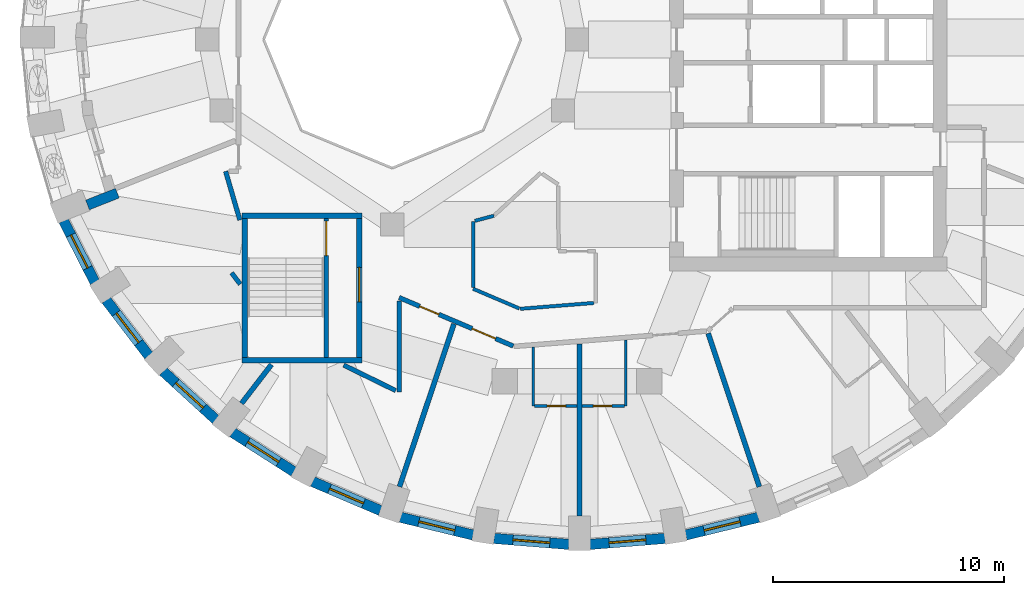
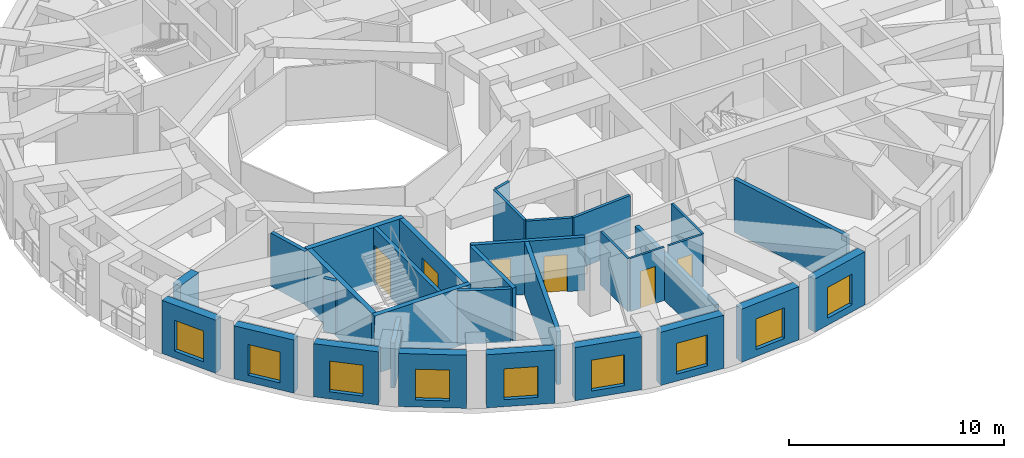
# One storey, part 3 of 12: 32 walls, 9 windows, 6 doors, 15 openings.
"""IFC4 building model written with IfcOpenShell, lengths in metres."""

from ifc_helpers import new_model, si_unit, direction, frame, frame_2d, origin, place, context, subcontext, project, spatial, rectangle, extrude, material, layer, layer_set, type_object, element, fill, save


model = new_model("IFC4")

# Units and contexts
model_context = context("Model", 3, precision=1e-05, world=origin(), true_north=direction((0.0, 1.0)))
body_context = subcontext(model_context, "Body", "Model", "MODEL_VIEW")
ifc_project = project(units=[si_unit("LENGTHUNIT", "METRE"), si_unit("AREAUNIT", "SQUARE_METRE"), si_unit("VOLUMEUNIT", "CUBIC_METRE"), si_unit("PLANEANGLEUNIT", "RADIAN"), si_unit("MASSUNIT", "GRAM", prefix="KILO")], contexts=[model_context])

# Site, building, storey
site_placement = place(None, origin())
site = spatial("IfcSite", under=ifc_project, at=site_placement, CompositionType="ELEMENT")
building_placement = place(site_placement, origin())
building = spatial("IfcBuilding", under=site, at=building_placement, Name="Taillehof Tower", CompositionType="ELEMENT")
storey_placement = place(building_placement, frame((0.0, 0.0, 145.10009765625)))
storey = spatial("IfcBuildingStorey", under=building, at=storey_placement, Name="L40", CompositionType="ELEMENT", Elevation=145.10009765625)

# Wall, opening, window
ifc_material_1 = material(Name="Brick masonry", Category="masonry")
ifc_layer_1 = layer(ifc_material_1, 0.449951171875)
ifc_layer_set_1 = layer_set([ifc_layer_1], Name="Brick infill wall 450")
wall_type_1 = type_object("IfcWallType", Name="Brick infill wall 450", PredefinedType="SOLIDWALL", material=ifc_layer_set_1)
wall_1_placement = place(storey_placement, frame((-22.21533203125, -7.8369140625, 0.0), z_axis=(0.0, 0.0, 1.0), x_axis=(0.454133999889, -0.890933392653, 0.0)))
wall_1 = element("IfcWall", 1, at=wall_1_placement, inside=storey, type_object=wall_type_1, Name="Brick wall L40 bay 21", PredefinedType="SOLIDWALL", context=body_context, shape_type="SweptSolid", body=[
    extrude(rectangle(XDim=2.98583984375, YDim=0.449951171875, at=frame_2d((1.492919921875, 0.0))), origin(), (0.0, 0.0, 1.0), 3.02001953125),
])
opening_1_placement = place(wall_1_placement, frame((0.69287109375, 0.0, 0.39990234375)))
opening_1 = element("IfcOpeningElement", 2, at=opening_1_placement, cuts=wall_1, Name="Opening W3", PredefinedType="OPENING", context=body_context, shape_type="SweptSolid", body=[
    extrude(rectangle(XDim=1.60009765625, YDim=1.75, at=frame_2d((0.800048828125, 0.875))), frame((0.0, 0.23486328125, 0.0), z_axis=(0.0, -1.0, 0.0), x_axis=(1.0, 0.0, 0.0)), (0.0, 0.0, 1.0), 0.469970703125),
])
ifc_material_2 = material(Name="Aluminium window frame with clear double glazing", Category="aluminium")
window_type = type_object("IfcWindowType", Name="Deep-set window 1600x1750", PartitioningType="SINGLE_PANEL", PredefinedType="WINDOW", material=ifc_material_2)
window_1_placement = place(opening_1_placement, origin())
window_1 = element("IfcWindow", 3, at=window_1_placement, inside=storey, type_object=window_type, Name="W3", OverallHeight=1.75, OverallWidth=1.60009765625, PartitioningType="SINGLE_PANEL", PredefinedType="WINDOW", context=body_context, shape_type="SweptSolid", body=[
    extrude(rectangle(XDim=1.60009765625, YDim=1.75, at=frame_2d((0.800048828125, 0.875))), frame((0.0, 0.034912109375, 0.0), z_axis=(0.0, -1.0, 0.0), x_axis=(1.0, 0.0, 0.0)), (0.0, 0.0, 1.0), 0.06005859375),
])
fill(opening_1, window_1)

wall_2_placement = place(storey_placement, frame((-20.3740234375, -11.26708984375, 0.0), z_axis=(0.0, 0.0, 1.0), x_axis=(0.607817056371, -0.794077090706, 0.0)))
wall_2 = element("IfcWall", 4, at=wall_2_placement, inside=storey, type_object=wall_type_1, Name="Brick wall L40 bay 22", PredefinedType="SOLIDWALL", context=body_context, shape_type="SweptSolid", body=[
    extrude(rectangle(XDim=3.037109375, YDim=0.449951171875, at=frame_2d((1.5185546875, 0.0))), origin(), (0.0, 0.0, 1.0), 3.02001953125),
])
opening_2_placement = place(wall_2_placement, frame((0.718505859375, 0.0, 0.39990234375)))
opening_2 = element("IfcOpeningElement", 5, at=opening_2_placement, cuts=wall_2, Name="Opening W3", PredefinedType="OPENING", context=body_context, shape_type="SweptSolid", body=[
    extrude(rectangle(XDim=1.60009765625, YDim=1.75, at=frame_2d((0.800048828125, 0.875))), frame((0.0, 0.23486328125, 0.0), z_axis=(0.0, -1.0, 0.0), x_axis=(1.0, 0.0, 0.0)), (0.0, 0.0, 1.0), 0.469970703125),
])
window_2_placement = place(opening_2_placement, origin())
window_2 = element("IfcWindow", 6, at=window_2_placement, inside=storey, type_object=window_type, Name="W3", OverallHeight=1.75, OverallWidth=1.60009765625, PartitioningType="SINGLE_PANEL", PredefinedType="WINDOW", context=body_context, shape_type="SweptSolid", body=[
    extrude(rectangle(XDim=1.60009765625, YDim=1.75, at=frame_2d((0.800048828125, 0.875))), frame((0.0, 0.034912109375, 0.0), z_axis=(0.0, -1.0, 0.0), x_axis=(1.0, 0.0, 0.0)), (0.0, 0.0, 1.0), 0.06005859375),
])
fill(opening_2, window_2)

wall_3_placement = place(storey_placement, frame((-17.913330078125, -14.349853515625, 0.0), z_axis=(0.0, 0.0, 1.0), x_axis=(0.737808755941, -0.675009807082, 0.0)))
wall_3 = element("IfcWall", 7, at=wall_3_placement, inside=storey, type_object=wall_type_1, Name="Brick wall L40 bay 23", PredefinedType="SOLIDWALL", context=body_context, shape_type="SweptSolid", body=[
    extrude(rectangle(XDim=3.094482421875, YDim=0.449951171875, at=frame_2d((1.54736328125, 0.0))), origin(), (0.0, 0.0, 1.0), 3.02001953125),
])
opening_3_placement = place(wall_3_placement, frame((0.747314453125, 0.0, 0.39990234375)))
opening_3 = element("IfcOpeningElement", 8, at=opening_3_placement, cuts=wall_3, Name="Opening W3", PredefinedType="OPENING", context=body_context, shape_type="SweptSolid", body=[
    extrude(rectangle(XDim=1.60009765625, YDim=1.75, at=frame_2d((0.800048828125, 0.875))), frame((0.0, 0.23486328125, 0.0), z_axis=(0.0, -1.0, 0.0), x_axis=(1.0, 0.0, 0.0)), (0.0, 0.0, 1.0), 0.469970703125),
])
window_3_placement = place(opening_3_placement, origin())
window_3 = element("IfcWindow", 9, at=window_3_placement, inside=storey, type_object=window_type, Name="W3", OverallHeight=1.75, OverallWidth=1.60009765625, PartitioningType="SINGLE_PANEL", PredefinedType="WINDOW", context=body_context, shape_type="SweptSolid", body=[
    extrude(rectangle(XDim=1.60009765625, YDim=1.75, at=frame_2d((0.800048828125, 0.875))), frame((0.0, 0.034912109375, 0.0), z_axis=(0.0, -1.0, 0.0), x_axis=(1.0, 0.0, 0.0)), (0.0, 0.0, 1.0), 0.06005859375),
])
fill(opening_3, window_3)

wall_4_placement = place(storey_placement, frame((-14.908447265625, -16.993408203125, 0.0), z_axis=(0.0, 0.0, 1.0), x_axis=(0.842065914439, -0.539374633943, 0.0)))
wall_4 = element("IfcWall", 10, at=wall_4_placement, inside=storey, type_object=wall_type_1, Name="Brick wall L40 bay 24", PredefinedType="SOLIDWALL", context=body_context, shape_type="SweptSolid", body=[
    extrude(rectangle(XDim=3.1513671875, YDim=0.449951171875, at=frame_2d((1.57568359375, 0.0))), origin(), (0.0, 0.0, 1.0), 3.02001953125),
])
opening_4_placement = place(wall_4_placement, frame((0.775634765625, 0.0, 0.39990234375)))
opening_4 = element("IfcOpeningElement", 11, at=opening_4_placement, cuts=wall_4, Name="Opening W3", PredefinedType="OPENING", context=body_context, shape_type="SweptSolid", body=[
    extrude(rectangle(XDim=1.60009765625, YDim=1.75, at=frame_2d((0.800048828125, 0.875))), frame((0.0, 0.23486328125, 0.0), z_axis=(0.0, -1.0, 0.0), x_axis=(1.0, 0.0, 0.0)), (0.0, 0.0, 1.0), 0.469970703125),
])
window_4_placement = place(opening_4_placement, origin())
window_4 = element("IfcWindow", 12, at=window_4_placement, inside=storey, type_object=window_type, Name="W3", OverallHeight=1.75, OverallWidth=1.60009765625, PartitioningType="SINGLE_PANEL", PredefinedType="WINDOW", context=body_context, shape_type="SweptSolid", body=[
    extrude(rectangle(XDim=1.60009765625, YDim=1.75, at=frame_2d((0.800048828125, 0.875))), frame((0.0, 0.034912109375, 0.0), z_axis=(0.0, -1.0, 0.0), x_axis=(1.0, 0.0, 0.0)), (0.0, 0.0, 1.0), 0.06005859375),
])
fill(opening_4, window_4)

wall_5_placement = place(storey_placement, frame((-11.4501953125, -19.11865234375, 0.0), z_axis=(0.0, 0.0, 1.0), x_axis=(0.919798725687, -0.392390499663, 0.0)))
wall_5 = element("IfcWall", 13, at=wall_5_placement, inside=storey, type_object=wall_type_1, Name="Brick wall L40 bay 25", PredefinedType="SOLIDWALL", context=body_context, shape_type="SweptSolid", body=[
    extrude(rectangle(XDim=3.200439453125, YDim=0.449951171875, at=frame_2d((1.60009765625, 0.0))), origin(), (0.0, 0.0, 1.0), 3.02001953125),
])
opening_5_placement = place(wall_5_placement, frame((0.80029296875, 0.0, 0.39990234375)))
opening_5 = element("IfcOpeningElement", 14, at=opening_5_placement, cuts=wall_5, Name="Opening W3", PredefinedType="OPENING", context=body_context, shape_type="SweptSolid", body=[
    extrude(rectangle(XDim=1.60009765625, YDim=1.75, at=frame_2d((0.800048828125, 0.875))), frame((0.0, 0.23486328125, 0.0), z_axis=(0.0, -1.0, 0.0), x_axis=(1.0, 0.0, 0.0)), (0.0, 0.0, 1.0), 0.469970703125),
])
window_5_placement = place(opening_5_placement, origin())
window_5 = element("IfcWindow", 15, at=window_5_placement, inside=storey, type_object=window_type, Name="W3", OverallHeight=1.75, OverallWidth=1.60009765625, PartitioningType="SINGLE_PANEL", PredefinedType="WINDOW", context=body_context, shape_type="SweptSolid", body=[
    extrude(rectangle(XDim=1.60009765625, YDim=1.75, at=frame_2d((0.800048828125, 0.875))), frame((0.0, 0.034912109375, 0.0), z_axis=(0.0, -1.0, 0.0), x_axis=(1.0, 0.0, 0.0)), (0.0, 0.0, 1.0), 0.06005859375),
])
fill(opening_5, window_5)

wall_6_placement = place(storey_placement, frame((-7.642822265625, -20.662353515625, 0.0), z_axis=(0.0, 0.0, 1.0), x_axis=(0.971232901476, -0.238131583563, 0.0)))
wall_6 = element("IfcWall", 16, at=wall_6_placement, inside=storey, type_object=wall_type_1, Name="Brick wall L40 bay 26", PredefinedType="SOLIDWALL", context=body_context, shape_type="SweptSolid", body=[
    extrude(rectangle(XDim=3.236572265625, YDim=0.449951171875, at=frame_2d((1.6181640625, 0.0))), origin(), (0.0, 0.0, 1.0), 3.02001953125),
])
opening_6_placement = place(wall_6_placement, frame((0.818359375, 0.0, 0.39990234375)))
opening_6 = element("IfcOpeningElement", 17, at=opening_6_placement, cuts=wall_6, Name="Opening W3", PredefinedType="OPENING", context=body_context, shape_type="SweptSolid", body=[
    extrude(rectangle(XDim=1.60009765625, YDim=1.75, at=frame_2d((0.800048828125, 0.875))), frame((0.0, 0.23486328125, 0.0), z_axis=(0.0, -1.0, 0.0), x_axis=(1.0, 0.0, 0.0)), (0.0, 0.0, 1.0), 0.469970703125),
])
window_6_placement = place(opening_6_placement, origin())
window_6 = element("IfcWindow", 18, at=window_6_placement, inside=storey, type_object=window_type, Name="W3", OverallHeight=1.75, OverallWidth=1.60009765625, PartitioningType="SINGLE_PANEL", PredefinedType="WINDOW", context=body_context, shape_type="SweptSolid", body=[
    extrude(rectangle(XDim=1.60009765625, YDim=1.75, at=frame_2d((0.800048828125, 0.875))), frame((0.0, 0.034912109375, 0.0), z_axis=(0.0, -1.0, 0.0), x_axis=(1.0, 0.0, 0.0)), (0.0, 0.0, 1.0), 0.06005859375),
])
fill(opening_6, window_6)

wall_7_placement = place(storey_placement, frame((-3.6005859375, -21.578125, 0.0), z_axis=(0.0, 0.0, 1.0), x_axis=(0.996812416891, -0.079780984773, 0.0)))
wall_7 = element("IfcWall", 19, at=wall_7_placement, inside=storey, type_object=wall_type_1, Name="Brick wall L40 bay 27", PredefinedType="SOLIDWALL", context=body_context, shape_type="SweptSolid", body=[
    extrude(rectangle(XDim=3.256103515625, YDim=0.449951171875, at=frame_2d((1.6279296875, 0.0))), origin(), (0.0, 0.0, 1.0), 3.02001953125),
])
opening_7_placement = place(wall_7_placement, frame((0.827880859375, 0.0, 0.39990234375)))
opening_7 = element("IfcOpeningElement", 20, at=opening_7_placement, cuts=wall_7, Name="Opening W3", PredefinedType="OPENING", context=body_context, shape_type="SweptSolid", body=[
    extrude(rectangle(XDim=1.60009765625, YDim=1.75, at=frame_2d((0.800048828125, 0.875))), frame((0.0, 0.23486328125, 0.0), z_axis=(0.0, -1.0, 0.0), x_axis=(1.0, 0.0, 0.0)), (0.0, 0.0, 1.0), 0.469970703125),
])
window_7_placement = place(opening_7_placement, origin())
window_7 = element("IfcWindow", 21, at=window_7_placement, inside=storey, type_object=window_type, Name="W3", OverallHeight=1.75, OverallWidth=1.60009765625, PartitioningType="SINGLE_PANEL", PredefinedType="WINDOW", context=body_context, shape_type="SweptSolid", body=[
    extrude(rectangle(XDim=1.60009765625, YDim=1.75, at=frame_2d((0.800048828125, 0.875))), frame((0.0, 0.034912109375, 0.0), z_axis=(0.0, -1.0, 0.0), x_axis=(1.0, 0.0, 0.0)), (0.0, 0.0, 1.0), 0.06005859375),
])
fill(opening_7, window_7)

wall_8_placement = place(storey_placement, frame((0.55517578125, -21.837890625, 0.0), z_axis=(0.0, 0.0, 1.0), x_axis=(0.996812416891, 0.079780984773, 0.0)))
wall_8 = element("IfcWall", 22, at=wall_8_placement, inside=storey, type_object=wall_type_1, Name="Brick wall L40 bay 28", PredefinedType="SOLIDWALL", context=body_context, shape_type="SweptSolid", body=[
    extrude(rectangle(XDim=3.256103515625, YDim=0.449951171875, at=frame_2d((1.6279296875, 0.0))), origin(), (0.0, 0.0, 1.0), 3.02001953125),
])
opening_8_placement = place(wall_8_placement, frame((0.827880859375, 0.0, 0.39990234375)))
opening_8 = element("IfcOpeningElement", 23, at=opening_8_placement, cuts=wall_8, Name="Opening W3", PredefinedType="OPENING", context=body_context, shape_type="SweptSolid", body=[
    extrude(rectangle(XDim=1.60009765625, YDim=1.75, at=frame_2d((0.800048828125, 0.875))), frame((0.0, 0.23486328125, 0.0), z_axis=(0.0, -1.0, 0.0), x_axis=(1.0, 0.0, 0.0)), (0.0, 0.0, 1.0), 0.469970703125),
])
window_8_placement = place(opening_8_placement, origin())
window_8 = element("IfcWindow", 24, at=window_8_placement, inside=storey, type_object=window_type, Name="W3", OverallHeight=1.75, OverallWidth=1.60009765625, PartitioningType="SINGLE_PANEL", PredefinedType="WINDOW", context=body_context, shape_type="SweptSolid", body=[
    extrude(rectangle(XDim=1.60009765625, YDim=1.75, at=frame_2d((0.800048828125, 0.875))), frame((0.0, 0.034912109375, 0.0), z_axis=(0.0, -1.0, 0.0), x_axis=(1.0, 0.0, 0.0)), (0.0, 0.0, 1.0), 0.06005859375),
])
fill(opening_8, window_8)

wall_9_placement = place(storey_placement, frame((4.69921875, -21.43310546875, 0.0), z_axis=(0.0, 0.0, 1.0), x_axis=(0.971237178372, 0.238114139328, 0.0)))
wall_9 = element("IfcWall", 25, at=wall_9_placement, inside=storey, type_object=wall_type_1, Name="Brick wall L40 bay 29", PredefinedType="SOLIDWALL", context=body_context, shape_type="SweptSolid", body=[
    extrude(rectangle(XDim=3.23681640625, YDim=0.449951171875, at=frame_2d((1.618408203125, 0.0))), origin(), (0.0, 0.0, 1.0), 3.02001953125),
])
opening_9_placement = place(wall_9_placement, frame((0.818359375, 0.0, 0.39990234375)))
opening_9 = element("IfcOpeningElement", 26, at=opening_9_placement, cuts=wall_9, Name="Opening W3", PredefinedType="OPENING", context=body_context, shape_type="SweptSolid", body=[
    extrude(rectangle(XDim=1.60009765625, YDim=1.75, at=frame_2d((0.800048828125, 0.875))), frame((0.0, 0.23486328125, 0.0), z_axis=(0.0, -1.0, 0.0), x_axis=(1.0, 0.0, 0.0)), (0.0, 0.0, 1.0), 0.469970703125),
])
window_9_placement = place(opening_9_placement, origin())
window_9 = element("IfcWindow", 27, at=window_9_placement, inside=storey, type_object=window_type, Name="W3", OverallHeight=1.75, OverallWidth=1.60009765625, PartitioningType="SINGLE_PANEL", PredefinedType="WINDOW", context=body_context, shape_type="SweptSolid", body=[
    extrude(rectangle(XDim=1.60009765625, YDim=1.75, at=frame_2d((0.800048828125, 0.875))), frame((0.0, 0.034912109375, 0.0), z_axis=(0.0, -1.0, 0.0), x_axis=(1.0, 0.0, 0.0)), (0.0, 0.0, 1.0), 0.06005859375),
])
fill(opening_9, window_9)

# Wall
wall_10_placement = place(storey_placement, frame((-21.18212890625, -7.15625, 0.0), z_axis=(0.0, 0.0, 1.0), x_axis=(0.929514600716, 0.368785312961, 0.0)))
element("IfcWall", 28, at=wall_10_placement, inside=storey, type_object=wall_type_1, Name="Brick reveal L40 pocket 5", PredefinedType="SOLIDWALL", context=body_context, shape_type="SweptSolid", body=[
    extrude(rectangle(XDim=1.39013671875, YDim=0.449951171875, at=frame_2d((0.695068359375, 0.0))), origin(), (0.0, 0.0, 1.0), 3.02001953125),
])

# Wall, openings, doors
ifc_material_3 = material(Name="Gypsum board on steel studs, two layers each side", Category="steel")
ifc_layer_2 = layer(ifc_material_3, 0.199951171875)
ifc_layer_set_2 = layer_set([ifc_layer_2], Name="Compartment wall corridor 200")
wall_type_2 = type_object("IfcWallType", Name="Compartment wall corridor 200", PredefinedType="PARTITIONING", material=ifc_layer_set_2)
wall_11_placement = place(storey_placement, frame((-2.765625, -13.257568359375, 0.0), z_axis=(0.0, 0.0, 1.0), x_axis=(-0.920210819037, 0.391423106787, 0.0)))
wall_11 = element("IfcWall", 29, at=wall_11_placement, inside=storey, type_object=wall_type_2, Name="Compartment wall", PredefinedType="PARTITIONING", context=body_context, shape_type="SweptSolid", body=[
    extrude(rectangle(XDim=5.362060546875, YDim=0.199951171875, at=frame_2d((2.68115234375, 0.0))), origin(), (0.0, 0.0, 1.0), 3.02001953125),
])
opening_10_placement = place(wall_11_placement, frame((3.4951171875, 0.0, 0.0)))
opening_10 = element("IfcOpeningElement", 30, at=opening_10_placement, cuts=wall_11, Name="Opening D4050", PredefinedType="OPENING", context=body_context, shape_type="SweptSolid", body=[
    extrude(rectangle(XDim=0.89990234375, YDim=2.10009765625, at=frame_2d((0.449951171875, 1.050048828125))), frame((0.0, 0.10986328125, 0.0), z_axis=(0.0, -1.0, 0.0), x_axis=(1.0, 0.0, 0.0)), (0.0, 0.0, 1.0), 0.219970703125),
])
opening_11_placement = place(wall_11_placement, frame((0.827392578125, 0.0, 0.0)))
opening_11 = element("IfcOpeningElement", 31, at=opening_11_placement, cuts=wall_11, Name="Opening D4051", PredefinedType="OPENING", context=body_context, shape_type="SweptSolid", body=[
    extrude(rectangle(XDim=1.10009765625, YDim=2.10009765625, at=frame_2d((0.550048828125, 1.050048828125))), frame((0.0, 0.10986328125, 0.0), z_axis=(0.0, -1.0, 0.0), x_axis=(1.0, 0.0, 0.0)), (0.0, 0.0, 1.0), 0.219970703125),
])
ifc_material_4 = material(Name="Timber door leaf in steel frame", Category="steel")
door_type_1 = type_object("IfcDoorType", Name="Service room door EI 30 900 x 2100", OperationType="SINGLE_SWING_LEFT", PredefinedType="DOOR", material=ifc_material_4)
door_1_placement = place(opening_10_placement, origin())
door_1 = element("IfcDoor", 32, at=door_1_placement, inside=storey, type_object=door_type_1, Name="D4050", OperationType="SINGLE_SWING_LEFT", OverallHeight=2.10009765625, OverallWidth=0.89990234375, PredefinedType="DOOR", context=body_context, shape_type="SweptSolid", body=[
    extrude(rectangle(XDim=0.89990234375, YDim=2.10009765625, at=frame_2d((0.449951171875, 1.050048828125))), frame((0.0, 0.02490234375, 0.0), z_axis=(0.0, -1.0, 0.0), x_axis=(1.0, 0.0, 0.0)), (0.0, 0.0, 1.0), 0.050048828125),
])
fill(opening_10, door_1)
ifc_material_5 = material(Name="Timber door leaf in steel frame", Category="steel")
door_type_2 = type_object("IfcDoorType", Name="Suite entrance door EI 30 1100 x 2100", OperationType="SINGLE_SWING_LEFT", PredefinedType="DOOR", material=ifc_material_5)
door_2_placement = place(opening_11_placement, origin())
door_2 = element("IfcDoor", 33, at=door_2_placement, inside=storey, type_object=door_type_2, Name="D4051", OperationType="SINGLE_SWING_RIGHT", OverallHeight=2.10009765625, OverallWidth=1.10009765625, PredefinedType="DOOR", context=body_context, shape_type="SweptSolid", body=[
    extrude(rectangle(XDim=1.10009765625, YDim=2.10009765625, at=frame_2d((0.550048828125, 1.050048828125))), frame((0.0, 0.02490234375, 0.0), z_axis=(0.0, -1.0, 0.0), x_axis=(1.0, 0.0, 0.0)), (0.0, 0.0, 1.0), 0.050048828125),
])
fill(opening_11, door_2)

# Walls
wall_12_placement = place(storey_placement, frame((-7.699951171875, -11.298828125, 0.0), z_axis=(0.0, 0.0, 1.0), x_axis=(0.0, -1.0, 0.0)))
element("IfcWall", 34, at=wall_12_placement, inside=storey, type_object=wall_type_2, Name="Compartment wall", PredefinedType="PARTITIONING", context=body_context, shape_type="SweptSolid", body=[
    extrude(rectangle(XDim=3.9560546875, YDim=0.199951171875, at=frame_2d((1.97802734375, 0.0))), origin(), (0.0, 0.0, 1.0), 3.02001953125),
])
wall_13_placement = place(storey_placement, frame((-7.844482421875, -15.1845703125, 0.0), z_axis=(0.0, 0.0, 1.0), x_axis=(-0.898266579534, 0.439450966653, 0.0)))
element("IfcWall", 35, at=wall_13_placement, inside=storey, type_object=wall_type_2, Name="Compartment wall", PredefinedType="PARTITIONING", context=body_context, shape_type="SweptSolid", body=[
    extrude(rectangle(XDim=2.5087890625, YDim=0.199951171875, at=frame_2d((1.25439453125, 0.0))), origin(), (0.0, 0.0, 1.0), 3.02001953125),
])
wall_14_placement = place(storey_placement, frame((-14.57373046875, -10.580078125, 0.0), z_axis=(0.0, 0.0, 1.0), x_axis=(-0.606745625174, 0.794896060081, 0.0)))
element("IfcWall", 36, at=wall_14_placement, inside=storey, type_object=wall_type_2, Name="Compartment wall", PredefinedType="PARTITIONING", context=body_context, shape_type="SweptSolid", body=[
    extrude(rectangle(XDim=0.61767578125, YDim=0.199951171875, at=frame_2d((0.308837890625, 0.0))), origin(), (0.0, 0.0, 1.0), 3.02001953125),
])
wall_15_placement = place(storey_placement, frame((-14.590087890625, -7.806884765625, 0.0), z_axis=(0.0, 0.0, 1.0), x_axis=(-0.280401457903, 0.959882817018, 0.0)))
element("IfcWall", 37, at=wall_15_placement, inside=storey, type_object=wall_type_2, Name="Compartment wall", PredefinedType="PARTITIONING", context=body_context, shape_type="SweptSolid", body=[
    extrude(rectangle(XDim=2.195068359375, YDim=0.199951171875, at=frame_2d((1.09765625, 0.0))), origin(), (0.0, 0.0, 1.0), 3.02001953125),
])
ifc_material_6 = material(Name="Gypsum board on double steel studs with mineral wool", Category="steel")
ifc_layer_3 = layer(ifc_material_6, 0.219970703125)
ifc_layer_set_3 = layer_set([ifc_layer_3], Name="Compartment wall guest room 220")
wall_type_3 = type_object("IfcWallType", Name="Compartment wall guest room 220", PredefinedType="PARTITIONING", material=ifc_layer_set_3)
wall_16_placement = place(storey_placement, frame((-14.515869140625, -15.7373046875, 0.0), z_axis=(0.0, 0.0, 1.0), x_axis=(0.609983624648, 0.792414019097, 0.0)))
element("IfcWall", 38, at=wall_16_placement, inside=storey, type_object=wall_type_3, Name="Compartment wall", PredefinedType="PARTITIONING", context=body_context, shape_type="SweptSolid", body=[
    extrude(rectangle(XDim=2.118408203125, YDim=0.219970703125, at=frame_2d((1.05908203125, 0.0))), origin(), (0.0, 0.0, 1.0), 2.56982421875),
])
wall_17_placement = place(storey_placement, frame((-7.682861328125, -19.344970703125, 0.0), z_axis=(0.0, 0.0, 1.0), x_axis=(0.316720596973, 0.948518878807, 0.0)))
element("IfcWall", 39, at=wall_17_placement, inside=storey, type_object=wall_type_3, Name="Compartment wall", PredefinedType="PARTITIONING", context=body_context, shape_type="SweptSolid", body=[
    extrude(rectangle(XDim=7.43017578125, YDim=0.219970703125, at=frame_2d((3.715087890625, 0.0))), origin(), (0.0, 0.0, 1.0), 3.02001953125),
])
wall_18_placement = place(storey_placement, frame((0.10009765625, -20.60009765625, 0.0), z_axis=(0.0, 0.0, 1.0), x_axis=(0.0, 1.0, 0.0)))
element("IfcWall", 40, at=wall_18_placement, inside=storey, type_object=wall_type_3, Name="Compartment wall", PredefinedType="PARTITIONING", context=body_context, shape_type="SweptSolid", body=[
    extrude(rectangle(XDim=7.4326171875, YDim=0.219970703125, at=frame_2d((3.71630859375, 0.0))), origin(), (0.0, 0.0, 1.0), 2.56982421875),
])
wall_19_placement = place(storey_placement, frame((7.8828125, -19.344970703125, 0.0), z_axis=(0.0, 0.0, 1.0), x_axis=(-0.31671959997, 0.948519211716, 0.0)))
element("IfcWall", 41, at=wall_19_placement, inside=storey, type_object=wall_type_3, Name="Compartment wall", PredefinedType="PARTITIONING", context=body_context, shape_type="SweptSolid", body=[
    extrude(rectangle(XDim=6.99853515625, YDim=0.219970703125, at=frame_2d((3.499267578125, 0.0))), origin(), (0.0, 0.0, 1.0), 3.02001953125),
])
ifc_material_7 = material(Name="Gypsum board on steel studs, two layers each side", Category="steel")
ifc_layer_4 = layer(ifc_material_7, 0.14990234375)
ifc_layer_set_4 = layer_set([ifc_layer_4], Name="Compartment wall service room 150")
wall_type_4 = type_object("IfcWallType", Name="Compartment wall service room 150", PredefinedType="PARTITIONING", material=ifc_layer_set_4)
wall_20_placement = place(storey_placement, frame((0.719970703125, -11.39306640625, 0.0), z_axis=(0.0, 0.0, 1.0), x_axis=(-0.996836626024, -0.079477927865, 0.0)))
element("IfcWall", 42, at=wall_20_placement, inside=storey, type_object=wall_type_4, Name="Compartment wall", PredefinedType="PARTITIONING", context=body_context, shape_type="SweptSolid", body=[
    extrude(rectangle(XDim=3.194580078125, YDim=0.14990234375, at=frame_2d((1.59716796875, 0.0))), origin(), (0.0, 0.0, 1.0), 3.02001953125),
])
wall_21_placement = place(storey_placement, frame((-2.501220703125, -11.63134765625, 0.0), z_axis=(0.0, 0.0, 1.0), x_axis=(-0.920228720371, 0.391381019217, 0.0)))
element("IfcWall", 43, at=wall_21_placement, inside=storey, type_object=wall_type_4, Name="Compartment wall", PredefinedType="PARTITIONING", context=body_context, shape_type="SweptSolid", body=[
    extrude(rectangle(XDim=2.172119140625, YDim=0.14990234375, at=frame_2d((1.0859375, 0.0))), origin(), (0.0, 0.0, 1.0), 3.02001953125),
])
wall_22_placement = place(storey_placement, frame((-4.5, -10.72119140625, 0.0), z_axis=(0.0, 0.0, 1.0), x_axis=(0.0, 1.0, 0.0)))
element("IfcWall", 44, at=wall_22_placement, inside=storey, type_object=wall_type_4, Name="Compartment wall", PredefinedType="PARTITIONING", context=body_context, shape_type="SweptSolid", body=[
    extrude(rectangle(XDim=2.859130859375, YDim=0.14990234375, at=frame_2d((1.4296875, 0.0))), origin(), (0.0, 0.0, 1.0), 3.02001953125),
])
wall_23_placement = place(storey_placement, frame((-4.4228515625, -7.841552734375, 0.0), z_axis=(0.0, 0.0, 1.0), x_axis=(0.965853333569, 0.259089440221, 0.0)))
element("IfcWall", 45, at=wall_23_placement, inside=storey, type_object=wall_type_4, Name="Compartment wall", PredefinedType="PARTITIONING", context=body_context, shape_type="SweptSolid", body=[
    extrude(rectangle(XDim=0.851806640625, YDim=0.14990234375, at=frame_2d((0.42578125, 0.0))), origin(), (0.0, 0.0, 1.0), 3.02001953125),
])
ifc_material_8 = material(Name="Gypsum board on steel studs, moisture resistant", Category="steel")
ifc_layer_5 = layer(ifc_material_8, 0.1201171875)
ifc_layer_set_5 = layer_set([ifc_layer_5], Name="En-suite wall 120")
wall_type_5 = type_object("IfcWallType", Name="En-suite wall 120", PredefinedType="PARTITIONING", material=ifc_layer_set_5)
wall_24_placement = place(storey_placement, frame((-1.89990234375, -13.307373046875, 0.0), z_axis=(0.0, 0.0, 1.0), x_axis=(0.0, -1.0, 0.0)))
element("IfcWall", 46, at=wall_24_placement, inside=storey, type_object=wall_type_5, Name="En-suite wall", PredefinedType="PARTITIONING", context=body_context, shape_type="SweptSolid", body=[
    extrude(rectangle(XDim=2.539794921875, YDim=0.1201171875, at=frame_2d((1.27001953125, 0.0))), origin(), (0.0, 0.0, 1.0), 3.02001953125),
])
wall_25_placement = place(storey_placement, frame((2.10009765625, -12.98779296875, 0.0), z_axis=(0.0, 0.0, 1.0), x_axis=(0.0, -1.0, 0.0)))
element("IfcWall", 47, at=wall_25_placement, inside=storey, type_object=wall_type_5, Name="En-suite wall", PredefinedType="PARTITIONING", context=body_context, shape_type="SweptSolid", body=[
    extrude(rectangle(XDim=2.859375, YDim=0.1201171875, at=frame_2d((1.4296875, 0.0))), origin(), (0.0, 0.0, 1.0), 3.02001953125),
])

# Wall, opening, door
wall_26_placement = place(storey_placement, frame((-1.83984375, -15.84716796875, 0.0), z_axis=(0.0, 0.0, 1.0), x_axis=(1.0, 0.0, 0.0)))
wall_26 = element("IfcWall", 48, at=wall_26_placement, inside=storey, type_object=wall_type_5, Name="En-suite wall", PredefinedType="PARTITIONING", context=body_context, shape_type="SweptSolid", body=[
    extrude(rectangle(XDim=1.829833984375, YDim=0.1201171875, at=frame_2d((0.9150390625, 0.0))), origin(), (0.0, 0.0, 1.0), 3.02001953125),
])
opening_12_placement = place(wall_26_placement, frame((0.539794921875, 0.0, 0.0)))
opening_12 = element("IfcOpeningElement", 49, at=opening_12_placement, cuts=wall_26, Name="Opening D4052", PredefinedType="OPENING", context=body_context, shape_type="SweptSolid", body=[
    extrude(rectangle(XDim=0.800048828125, YDim=2.10009765625, at=frame_2d((0.39990234375, 1.050048828125))), frame((0.0, 0.070068359375, 0.0), z_axis=(0.0, -1.0, 0.0), x_axis=(1.0, 0.0, 0.0)), (0.0, 0.0, 1.0), 0.14013671875),
])
ifc_material_9 = material(Name="Timber door leaf in steel frame", Category="steel")
door_type_3 = type_object("IfcDoorType", Name="En-suite door 800 x 2100", OperationType="SINGLE_SWING_LEFT", PredefinedType="DOOR", material=ifc_material_9)
door_3_placement = place(opening_12_placement, origin())
door_3 = element("IfcDoor", 50, at=door_3_placement, inside=storey, type_object=door_type_3, Name="D4052", OperationType="SINGLE_SWING_RIGHT", OverallHeight=2.10009765625, OverallWidth=0.800048828125, PredefinedType="DOOR", context=body_context, shape_type="SweptSolid", body=[
    extrude(rectangle(XDim=0.800048828125, YDim=2.10009765625, at=frame_2d((0.39990234375, 1.050048828125))), frame((0.0, 0.02490234375, 0.0), z_axis=(0.0, -1.0, 0.0), x_axis=(1.0, 0.0, 0.0)), (0.0, 0.0, 1.0), 0.050048828125),
])
fill(opening_12, door_3)

wall_27_placement = place(storey_placement, frame((2.0400390625, -15.84716796875, 0.0), z_axis=(0.0, 0.0, 1.0), x_axis=(-1.0, 0.0, 0.0)))
wall_27 = element("IfcWall", 51, at=wall_27_placement, inside=storey, type_object=wall_type_5, Name="En-suite wall", PredefinedType="PARTITIONING", context=body_context, shape_type="SweptSolid", body=[
    extrude(rectangle(XDim=1.829833984375, YDim=0.1201171875, at=frame_2d((0.9150390625, 0.0))), origin(), (0.0, 0.0, 1.0), 3.02001953125),
])
opening_13_placement = place(wall_27_placement, frame((0.5400390625, 0.0, 0.0)))
opening_13 = element("IfcOpeningElement", 52, at=opening_13_placement, cuts=wall_27, Name="Opening D4054", PredefinedType="OPENING", context=body_context, shape_type="SweptSolid", body=[
    extrude(rectangle(XDim=0.800048828125, YDim=2.10009765625, at=frame_2d((0.39990234375, 1.050048828125))), frame((0.0, 0.070068359375, 0.0), z_axis=(0.0, -1.0, 0.0), x_axis=(1.0, 0.0, 0.0)), (0.0, 0.0, 1.0), 0.14013671875),
])
door_4_placement = place(opening_13_placement, origin())
door_4 = element("IfcDoor", 53, at=door_4_placement, inside=storey, type_object=door_type_3, Name="D4054", OperationType="SINGLE_SWING_RIGHT", OverallHeight=2.10009765625, OverallWidth=0.800048828125, PredefinedType="DOOR", context=body_context, shape_type="SweptSolid", body=[
    extrude(rectangle(XDim=0.800048828125, YDim=2.10009765625, at=frame_2d((0.39990234375, 1.050048828125))), frame((0.0, 0.02490234375, 0.0), z_axis=(0.0, -1.0, 0.0), x_axis=(1.0, 0.0, 0.0)), (0.0, 0.0, 1.0), 0.050048828125),
])
fill(opening_13, door_4)

ifc_material_10 = material(Name="Concrete C50/60", Category="concrete")
ifc_layer_6 = layer(ifc_material_10, 0.199951171875)
ifc_layer_set_6 = layer_set([ifc_layer_6], Name="Shaft wall C50/60 200")
wall_type_6 = type_object("IfcWallType", Name="Shaft wall C50/60 200", PredefinedType="SHEAR", material=ifc_layer_set_6)
wall_28_placement = place(storey_placement, frame((-10.85009765625, -13.75, 0.0), z_axis=(0.0, 0.0, 1.0), x_axis=(0.0, 1.0, 0.0)))
wall_28 = element("IfcWall", 54, at=wall_28_placement, inside=storey, type_object=wall_type_6, Name="Shaft wall SW", PredefinedType="SHEAR", context=body_context, shape_type="SweptSolid", body=[
    extrude(rectangle(XDim=6.0, YDim=0.199951171875, at=frame_2d((3.0, 0.0))), origin(), (0.0, 0.0, 1.0), 3.02001953125),
])
opening_14_placement = place(wall_28_placement, frame((4.39990234375, 0.0, 0.0)))
opening_14 = element("IfcOpeningElement", 55, at=opening_14_placement, cuts=wall_28, Name="Opening D4013", PredefinedType="OPENING", context=body_context, shape_type="SweptSolid", body=[
    extrude(rectangle(XDim=1.5, YDim=2.10009765625, at=frame_2d((0.75, 1.050048828125))), frame((0.0, 0.10986328125, 0.0), z_axis=(0.0, -1.0, 0.0), x_axis=(1.0, 0.0, 0.0)), (0.0, 0.0, 1.0), 0.219970703125),
])
ifc_material_11 = material(Name="Steel-faced fire door", Category="steel")
door_type_4 = type_object("IfcDoorType", Name="Stair door 1500x2100", OperationType="DOUBLE_DOOR_SINGLE_SWING", PredefinedType="DOOR", material=ifc_material_11)
door_5_placement = place(opening_14_placement, origin())
door_5 = element("IfcDoor", 56, at=door_5_placement, inside=storey, type_object=door_type_4, Name="Stair lobby door S4", OperationType="DOUBLE_DOOR_SINGLE_SWING", OverallHeight=2.10009765625, OverallWidth=1.5, PredefinedType="DOOR", context=body_context, shape_type="SweptSolid", body=[
    extrude(rectangle(XDim=1.5, YDim=2.10009765625, at=frame_2d((0.75, 1.050048828125))), frame((0.0, 0.02490234375, 0.0), z_axis=(0.0, -1.0, 0.0), x_axis=(1.0, 0.0, 0.0)), (0.0, 0.0, 1.0), 0.050048828125),
])
fill(opening_14, door_5)

# Wall
ifc_material_12 = material(Name="Concrete C50/60", Category="concrete")
ifc_layer_7 = layer(ifc_material_12, 0.25)
ifc_layer_set_7 = layer_set([ifc_layer_7], Name="Stair wall C50/60 250")
wall_type_7 = type_object("IfcWallType", Name="Stair wall C50/60 250", PredefinedType="SHEAR", material=ifc_layer_set_7)
wall_29_placement = place(storey_placement, frame((-14.375, -13.75, -0.280029296875), z_axis=(0.0, 0.0, 1.0), x_axis=(0.0, 1.0, 0.0)))
element("IfcWall", 57, at=wall_29_placement, inside=storey, type_object=wall_type_7, Name="Stair wall SC", PredefinedType="SHEAR", context=body_context, shape_type="SweptSolid", body=[
    extrude(rectangle(XDim=6.0, YDim=0.25, at=frame_2d((3.0, 0.0))), origin(), (0.0, 0.0, 1.0), 3.300048828125),
])

# Wall, opening, door
wall_30_placement = place(storey_placement, frame((-9.425048828125, -13.75, -0.280029296875), z_axis=(0.0, 0.0, 1.0), x_axis=(0.0, 1.0, 0.0)))
wall_30 = element("IfcWall", 58, at=wall_30_placement, inside=storey, type_object=wall_type_7, Name="Stair wall SC", PredefinedType="SHEAR", context=body_context, shape_type="SweptSolid", body=[
    extrude(rectangle(XDim=6.0, YDim=0.25, at=frame_2d((3.0, 0.0))), origin(), (0.0, 0.0, 1.0), 3.300048828125),
])
opening_15_placement = place(wall_30_placement, frame((2.39990234375, 0.0, 0.280029296875)))
opening_15 = element("IfcOpeningElement", 59, at=opening_15_placement, cuts=wall_30, Name="Opening D4016", PredefinedType="OPENING", context=body_context, shape_type="SweptSolid", body=[
    extrude(rectangle(XDim=1.5, YDim=2.10009765625, at=frame_2d((0.75, 1.050048828125))), frame((0.0, 0.135009765625, 0.0), z_axis=(0.0, -1.0, 0.0), x_axis=(1.0, 0.0, 0.0)), (0.0, 0.0, 1.0), 0.27001953125),
])
door_6_placement = place(opening_15_placement, origin())
door_6 = element("IfcDoor", 60, at=door_6_placement, inside=storey, type_object=door_type_4, Name="Stair door S4", OperationType="DOUBLE_DOOR_SINGLE_SWING", OverallHeight=2.10009765625, OverallWidth=1.5, PredefinedType="DOOR", context=body_context, shape_type="SweptSolid", body=[
    extrude(rectangle(XDim=1.5, YDim=2.10009765625, at=frame_2d((0.75, 1.050048828125))), frame((0.0, 0.02490234375, 0.0), z_axis=(0.0, -1.0, 0.0), x_axis=(1.0, 0.0, 0.0)), (0.0, 0.0, 1.0), 0.050048828125),
])
fill(opening_15, door_6)

# Walls
for number, where, z_axis, x_axis, name in (
    (61, (-14.5, -7.625, -0.280029296875), (0.0, 0.0, 1.0), (1.0, 0.0, 0.0), "Stair wall SC"),
    (62, (-14.5, -13.875, -0.280029296875), (0.0, 0.0, 1.0), (1.0, 0.0, 0.0), "Stair wall SC"),
):
    element("IfcWall", number, at=place(storey_placement, frame(where, z_axis=z_axis, x_axis=x_axis)), inside=storey, type_object=wall_type_7, Name=name, PredefinedType="SHEAR", context=body_context, shape_type="SweptSolid", body=[
        extrude(rectangle(XDim=5.199951171875, YDim=0.25, at=frame_2d((2.60009765625, 0.0))), origin(), (0.0, 0.0, 1.0), 3.300048828125),
    ])

save(model, "model.ifc")
